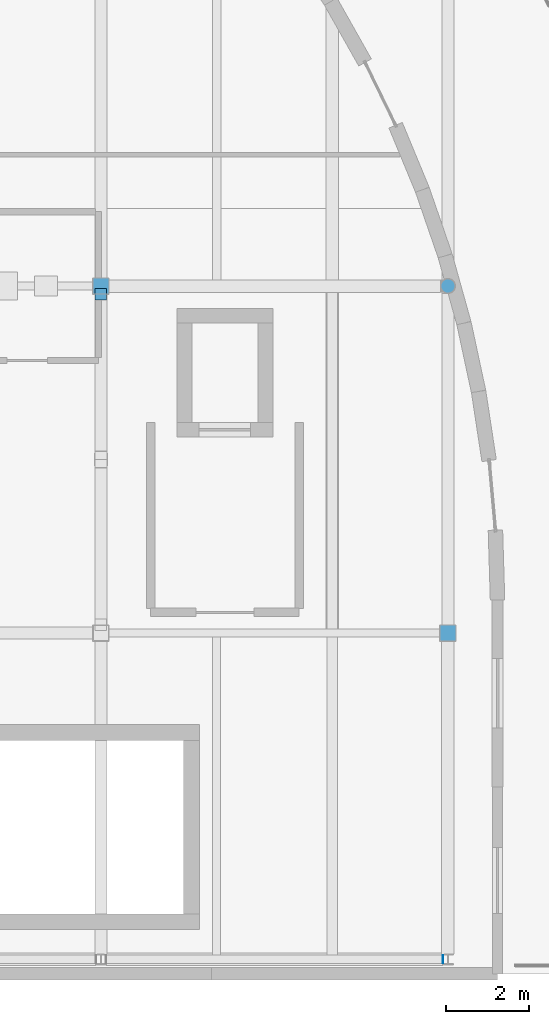
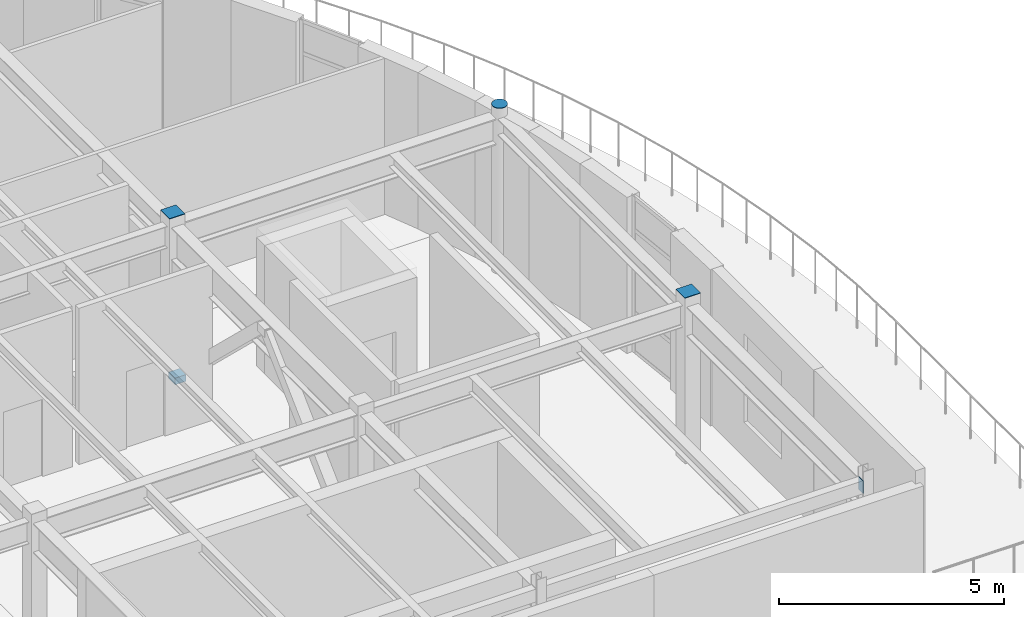
# One storey, part 23 of 26: 5 discrete accessories.
"""IFC4 building model written with IfcOpenShell, lengths in metres."""

from ifc_helpers import new_model, si_unit, direction, frame, origin, origin_2d, place, context, subcontext, project, spatial, rectangle, circle, extrude, material, type_object, element, save


model = new_model("IFC4")

# Units and contexts
model_context = context("Model", 3, precision=1e-05, world=origin(), true_north=direction((0.0, 1.0)))
body_context = subcontext(model_context, "Body", "Model", "MODEL_VIEW")
ifc_project = project(units=[si_unit("LENGTHUNIT", "METRE"), si_unit("AREAUNIT", "SQUARE_METRE"), si_unit("VOLUMEUNIT", "CUBIC_METRE"), si_unit("PLANEANGLEUNIT", "RADIAN"), si_unit("MASSUNIT", "GRAM", prefix="KILO"), si_unit("THERMODYNAMICTEMPERATUREUNIT", "KELVIN")], contexts=[model_context])

# Site, building, storey
site_placement = place(None, origin())
site = spatial("IfcSite", under=ifc_project, at=site_placement, CompositionType="ELEMENT")
building_placement = place(site_placement, origin())
building = spatial("IfcBuilding", under=site, at=building_placement, Name="Lustrewick Department Store", CompositionType="ELEMENT")
storey_placement = place(building_placement, frame((0.0, 0.0, 36.300048828125)))
storey = spatial("IfcBuildingStorey", under=building, at=storey_placement, Name="L08", CompositionType="ELEMENT", Elevation=36.300048828125)

# Discrete accessories
ifc_material = material(Name="Structural steel Q355C", Category="steel")
discrete_accessory_type_1 = type_object("IfcDiscreteAccessoryType", Name="GUS-NODE", PredefinedType="BRACKET", material=ifc_material)
discrete_accessory_1_placement = place(storey_placement, frame((134.39990234375, 67.0, 0.06005859375), z_axis=(0.0, 0.0, 1.0), x_axis=(1.0, 0.0, 0.0)))
element("IfcDiscreteAccessory", 1, at=discrete_accessory_1_placement, inside=storey, type_object=discrete_accessory_type_1, Name="L08 V4 Brace Base Gusset Plate", PredefinedType="BRACKET", context=body_context, shape_type="SweptSolid", body=[
    extrude(rectangle(XDim=0.280029296875, YDim=0.280029296875, at=origin_2d()), origin(), (0.0, 0.0, 1.0), 0.179931640625),
])
discrete_accessory_type_2 = type_object("IfcDiscreteAccessoryType", Name="ECP-01", PredefinedType="USERDEFINED", material=ifc_material)
discrete_accessory_2_placement = place(storey_placement, frame((142.800048828125, 67.199951171875, 4.493896484375), z_axis=(0.0, 0.0, 1.0), x_axis=(1.0, 0.0, 0.0)))
element("IfcDiscreteAccessory", 2, at=discrete_accessory_2_placement, inside=storey, type_object=discrete_accessory_type_2, Name="L08 Welded Hollow-Section End-Cap Plate ECP-01", ObjectType="END_CAP_PLATE", PredefinedType="USERDEFINED", context=body_context, shape_type="SweptSolid", body=[
    extrude(circle(Radius=0.177978515625, at=origin_2d()), origin(), (0.0, 0.0, 1.0), 0.01611328125),
])
for number, where, z_axis, x_axis, name in (
    (3, (134.39990234375, 67.199951171875, 4.493896484375), (0.0, 0.0, 1.0), (1.0, 0.0, 0.0), "L08 Welded Hollow-Section End-Cap Plate ECP-01"),
    (4, (142.800048828125, 58.800048828125, 4.493896484375), (0.0, 0.0, 1.0), (1.0, 0.0, 0.0), "L08 Welded Hollow-Section End-Cap Plate ECP-01"),
):
    element("IfcDiscreteAccessory", number, at=place(storey_placement, frame(where, z_axis=z_axis, x_axis=x_axis)), inside=storey, type_object=discrete_accessory_type_2, Name=name, ObjectType="END_CAP_PLATE", PredefinedType="USERDEFINED", context=body_context, shape_type="SweptSolid", body=[
        extrude(rectangle(XDim=0.39990234375, YDim=0.39990234375, at=origin_2d()), origin(), (0.0, 0.0, 1.0), 0.01611328125),
    ])
discrete_accessory_3_placement = place(storey_placement, frame((142.6689453125, 50.89990234375, 4.070068359375), z_axis=(1.0, 0.0, 0.0), x_axis=(0.0, 1.0, 0.0)))
element("IfcDiscreteAccessory", 5, at=discrete_accessory_3_placement, inside=storey, type_object=discrete_accessory_type_2, Name="L08 Welded Hollow-Section End-Cap Plate ECP-01", ObjectType="END_CAP_PLATE", PredefinedType="USERDEFINED", context=body_context, shape_type="SweptSolid", body=[
    extrude(rectangle(XDim=0.199951171875, YDim=0.35009765625, at=origin_2d()), origin(), (0.0, 0.0, 1.0), 0.01611328125),
])

save(model, "model.ifc")
